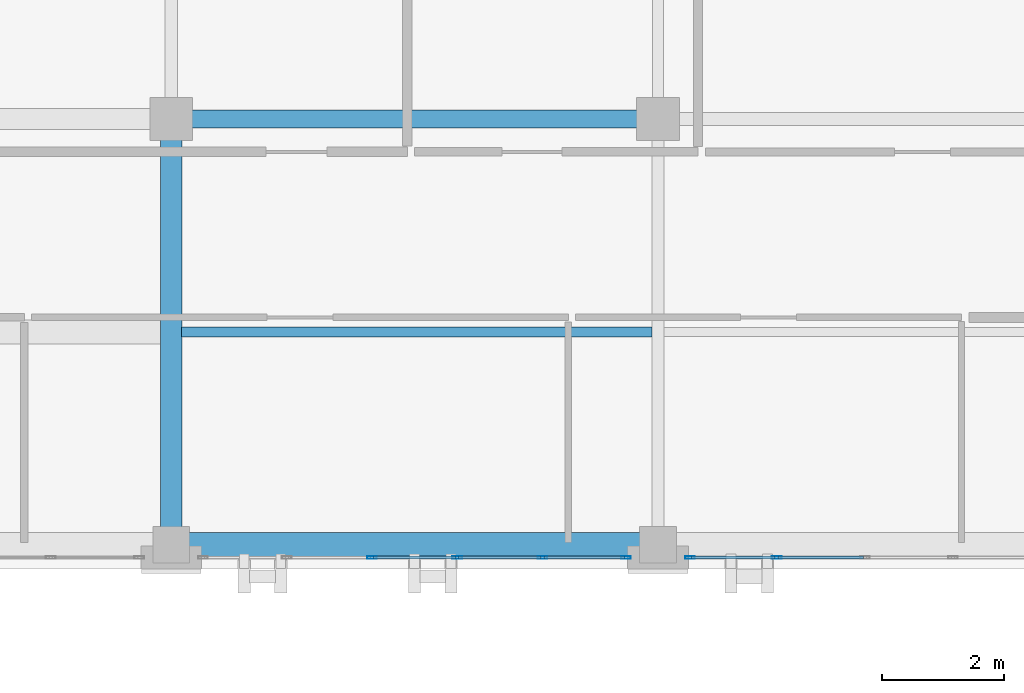
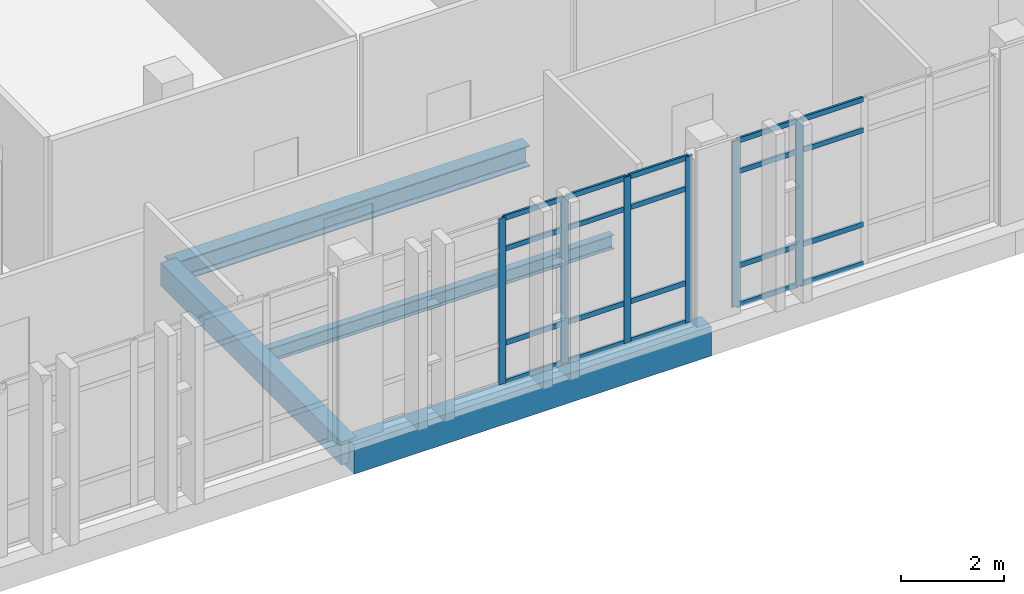
# One storey, part 41 of 90: 26 members, 4 beams, 2 elements without a shape of their own.
"""IFC4 building model written with IfcOpenShell, lengths in metres."""

from ifc_helpers import new_model, si_unit, direction, frame, origin, origin_2d, place, context, subcontext, project, spatial, rectangle, hollow_rectangle, i_section, extrude, material, layer, layer_set, material_profile, profile_set, type_object, element, aggregate, save


model = new_model("IFC4")

# Units and contexts
model_context = context("Model", 3, precision=1e-05, world=origin(), true_north=direction((0.0, 1.0)))
body_context = subcontext(model_context, "Body", "Model", "MODEL_VIEW")
ifc_project = project(units=[si_unit("LENGTHUNIT", "METRE"), si_unit("AREAUNIT", "SQUARE_METRE"), si_unit("VOLUMEUNIT", "CUBIC_METRE"), si_unit("PLANEANGLEUNIT", "RADIAN"), si_unit("MASSUNIT", "GRAM", prefix="KILO")], contexts=[model_context])

# Site, building, storey
site_placement = place(None, origin())
site = spatial("IfcSite", under=ifc_project, at=site_placement, CompositionType="ELEMENT")
building_placement = place(site_placement, origin())
building = spatial("IfcBuilding", under=site, at=building_placement, Name="Qalavern Law Courts", CompositionType="ELEMENT")
storey_placement = place(building_placement, frame((0.0, 0.0, 22.800048828125)))
storey = spatial("IfcBuildingStorey", under=building, at=storey_placement, Name="L05", CompositionType="ELEMENT", Elevation=22.800048828125)

# Curtain wall, members
ifc_material_1 = material(Name="Anodised aluminium and insulated glazing", Category="aluminium")
ifc_layer = layer(ifc_material_1, 0.166015625)
ifc_layer_set = layer_set([ifc_layer], Name="Anodised aluminium and insulated glazing")
curtain_wall_type = type_object("IfcCurtainWallType", Name="ENV-CW-LIB", PredefinedType="USERDEFINED", material=ifc_layer_set)
curtain_wall_1_placement = place(storey_placement, origin())
curtain_wall_1 = element("IfcCurtainWall", 1, at=curtain_wall_1_placement, inside=storey, type_object=curtain_wall_type, Name="V5 unitised curtain wall L05 south 3", ObjectType="UNITISED CURTAIN WALL", PredefinedType="USERDEFINED")
ifc_material_2 = material(Name="Anodised aluminium", Category="aluminium")
ifc_material_profile_1 = material_profile(ifc_material_2, hollow_rectangle(XDim=0.048095703125, YDim=0.159912109375, WallThickness=0.00390625, at=origin_2d()), Name="ALU MULLION 48x160")
ifc_profile_set_1 = profile_set([ifc_material_profile_1], Name="Anodised aluminium")
member_type_1 = type_object("IfcMemberType", Name="ENV-CWM-48x160", PredefinedType="MULLION", material=ifc_profile_set_1)
member_1_placement = place(storey_placement, frame((40.10009765625, 96.392578125, 0.0), z_axis=(0.0, 0.0, 1.0), x_axis=(0.0, 1.0, 0.0)))
member_1 = element("IfcMember", 2, at=member_1_placement, type_object=member_type_1, Name="CW-05 mullion 3", PredefinedType="MULLION", context=body_context, shape_type="SweptSolid", body=[
    extrude(hollow_rectangle(XDim=0.048095703125, YDim=0.159912109375, WallThickness=0.00390625, at=origin_2d()), origin(), (0.0, 0.0, 1.0), 3.929931640625),
])
member_2_placement = place(storey_placement, frame((41.5, 96.392578125, 0.0), z_axis=(0.0, 0.0, 1.0), x_axis=(0.0, 1.0, 0.0)))
member_2 = element("IfcMember", 3, at=member_2_placement, type_object=member_type_1, Name="CW-05 mullion 4", PredefinedType="MULLION", context=body_context, shape_type="SweptSolid", body=[
    extrude(hollow_rectangle(XDim=0.048095703125, YDim=0.159912109375, WallThickness=0.00390625, at=origin_2d()), origin(), (0.0, 0.0, 1.0), 3.929931640625),
])
member_3_placement = place(storey_placement, frame((42.89990234375, 96.392578125, 0.0), z_axis=(0.0, 0.0, 1.0), x_axis=(0.0, 1.0, 0.0)))
member_3 = element("IfcMember", 4, at=member_3_placement, type_object=member_type_1, Name="CW-05 mullion 5", PredefinedType="MULLION", context=body_context, shape_type="SweptSolid", body=[
    extrude(hollow_rectangle(XDim=0.048095703125, YDim=0.159912109375, WallThickness=0.00390625, at=origin_2d()), origin(), (0.0, 0.0, 1.0), 3.929931640625),
])
member_4_placement = place(storey_placement, frame((44.27587890625, 96.392578125, 0.0), z_axis=(0.0, 0.0, 1.0), x_axis=(0.0, 1.0, 0.0)))
member_4 = element("IfcMember", 5, at=member_4_placement, type_object=member_type_1, Name="CW-05 mullion 6", PredefinedType="MULLION", context=body_context, shape_type="SweptSolid", body=[
    extrude(hollow_rectangle(XDim=0.048095703125, YDim=0.159912109375, WallThickness=0.00390625, at=origin_2d()), origin(), (0.0, 0.0, 1.0), 3.929931640625),
])

curtain_wall_2_placement = place(storey_placement, origin())
curtain_wall_2 = element("IfcCurtainWall", 6, at=curtain_wall_2_placement, inside=storey, type_object=curtain_wall_type, Name="V5 unitised curtain wall L05 south 4", ObjectType="UNITISED CURTAIN WALL", PredefinedType="USERDEFINED")
member_5_placement = place(storey_placement, frame((45.323974609375, 96.392578125, 0.0), z_axis=(0.0, 0.0, 1.0), x_axis=(0.0, 1.0, 0.0)))
member_5 = element("IfcMember", 7, at=member_5_placement, type_object=member_type_1, Name="CW-05 mullion 1", PredefinedType="MULLION", context=body_context, shape_type="SweptSolid", body=[
    extrude(hollow_rectangle(XDim=0.048095703125, YDim=0.159912109375, WallThickness=0.00390625, at=origin_2d()), origin(), (0.0, 0.0, 1.0), 3.929931640625),
])
member_6_placement = place(storey_placement, frame((46.75, 96.392578125, 0.0), z_axis=(0.0, 0.0, 1.0), x_axis=(0.0, 1.0, 0.0)))
member_6 = element("IfcMember", 8, at=member_6_placement, type_object=member_type_1, Name="CW-05 mullion 2", PredefinedType="MULLION", context=body_context, shape_type="SweptSolid", body=[
    extrude(hollow_rectangle(XDim=0.048095703125, YDim=0.159912109375, WallThickness=0.00390625, at=origin_2d()), origin(), (0.0, 0.0, 1.0), 3.929931640625),
])

# Member
ifc_material_profile_2 = material_profile(ifc_material_2, hollow_rectangle(XDim=0.048095703125, YDim=0.1201171875, WallThickness=0.00390625, at=origin_2d()), Name="ALU TRANSOM 48x120")
ifc_profile_set_2 = profile_set([ifc_material_profile_2], Name="Anodised aluminium")
member_type_2 = type_object("IfcMemberType", Name="ENV-CWT-48x120", PredefinedType="USERDEFINED", material=ifc_profile_set_2)
member_7_placement = place(storey_placement, frame((40.1240234375, 96.392578125, 0.02392578125), z_axis=(1.0, 0.0, 0.0), x_axis=(0.0, 1.0, 0.0)))
member_7 = element("IfcMember", 9, at=member_7_placement, type_object=member_type_2, Name="CW-05 transom 3.1", ObjectType="TRANSOM", PredefinedType="USERDEFINED", context=body_context, shape_type="SweptSolid", body=[
    extrude(hollow_rectangle(XDim=0.048095703125, YDim=0.1201171875, WallThickness=0.00390625, at=origin_2d()), origin(), (0.0, 0.0, 1.0), 1.35205078125),
])

member_8_placement = place(storey_placement, frame((40.1240234375, 96.392578125, 0.949951171875), z_axis=(1.0, 0.0, 0.0), x_axis=(0.0, 1.0, 0.0)))
member_8 = element("IfcMember", 10, at=member_8_placement, type_object=member_type_2, Name="CW-05 transom 3.2", ObjectType="TRANSOM", PredefinedType="USERDEFINED", context=body_context, shape_type="SweptSolid", body=[
    extrude(hollow_rectangle(XDim=0.048095703125, YDim=0.1201171875, WallThickness=0.00390625, at=origin_2d()), origin(), (0.0, 0.0, 1.0), 1.35205078125),
])

member_9_placement = place(storey_placement, frame((40.1240234375, 96.392578125, 3.179931640625), z_axis=(1.0, 0.0, 0.0), x_axis=(0.0, 1.0, 0.0)))
member_9 = element("IfcMember", 11, at=member_9_placement, type_object=member_type_2, Name="CW-05 transom 3.3", ObjectType="TRANSOM", PredefinedType="USERDEFINED", context=body_context, shape_type="SweptSolid", body=[
    extrude(hollow_rectangle(XDim=0.048095703125, YDim=0.1201171875, WallThickness=0.00390625, at=origin_2d()), origin(), (0.0, 0.0, 1.0), 1.35205078125),
])

member_10_placement = place(storey_placement, frame((40.1240234375, 96.392578125, 3.906005859375), z_axis=(1.0, 0.0, 0.0), x_axis=(0.0, 1.0, 0.0)))
member_10 = element("IfcMember", 12, at=member_10_placement, type_object=member_type_2, Name="CW-05 transom 3.4", ObjectType="TRANSOM", PredefinedType="USERDEFINED", context=body_context, shape_type="SweptSolid", body=[
    extrude(hollow_rectangle(XDim=0.048095703125, YDim=0.1201171875, WallThickness=0.00390625, at=origin_2d()), origin(), (0.0, 0.0, 1.0), 1.35205078125),
])

member_11_placement = place(storey_placement, frame((41.52392578125, 96.392578125, 0.02392578125), z_axis=(1.0, 0.0, 0.0), x_axis=(0.0, 1.0, 0.0)))
member_11 = element("IfcMember", 13, at=member_11_placement, type_object=member_type_2, Name="CW-05 transom 4.1", ObjectType="TRANSOM", PredefinedType="USERDEFINED", context=body_context, shape_type="SweptSolid", body=[
    extrude(hollow_rectangle(XDim=0.048095703125, YDim=0.1201171875, WallThickness=0.00390625, at=origin_2d()), origin(), (0.0, 0.0, 1.0), 1.35205078125),
])

member_12_placement = place(storey_placement, frame((41.52392578125, 96.392578125, 0.949951171875), z_axis=(1.0, 0.0, 0.0), x_axis=(0.0, 1.0, 0.0)))
member_12 = element("IfcMember", 14, at=member_12_placement, type_object=member_type_2, Name="CW-05 transom 4.2", ObjectType="TRANSOM", PredefinedType="USERDEFINED", context=body_context, shape_type="SweptSolid", body=[
    extrude(hollow_rectangle(XDim=0.048095703125, YDim=0.1201171875, WallThickness=0.00390625, at=origin_2d()), origin(), (0.0, 0.0, 1.0), 1.35205078125),
])

member_13_placement = place(storey_placement, frame((41.52392578125, 96.392578125, 3.179931640625), z_axis=(1.0, 0.0, 0.0), x_axis=(0.0, 1.0, 0.0)))
member_13 = element("IfcMember", 15, at=member_13_placement, type_object=member_type_2, Name="CW-05 transom 4.3", ObjectType="TRANSOM", PredefinedType="USERDEFINED", context=body_context, shape_type="SweptSolid", body=[
    extrude(hollow_rectangle(XDim=0.048095703125, YDim=0.1201171875, WallThickness=0.00390625, at=origin_2d()), origin(), (0.0, 0.0, 1.0), 1.35205078125),
])

member_14_placement = place(storey_placement, frame((41.52392578125, 96.392578125, 3.906005859375), z_axis=(1.0, 0.0, 0.0), x_axis=(0.0, 1.0, 0.0)))
member_14 = element("IfcMember", 16, at=member_14_placement, type_object=member_type_2, Name="CW-05 transom 4.4", ObjectType="TRANSOM", PredefinedType="USERDEFINED", context=body_context, shape_type="SweptSolid", body=[
    extrude(hollow_rectangle(XDim=0.048095703125, YDim=0.1201171875, WallThickness=0.00390625, at=origin_2d()), origin(), (0.0, 0.0, 1.0), 1.35205078125),
])

member_15_placement = place(storey_placement, frame((42.924072265625, 96.392578125, 0.02392578125), z_axis=(1.0, 0.0, 0.0), x_axis=(0.0, 1.0, 0.0)))
member_15 = element("IfcMember", 17, at=member_15_placement, type_object=member_type_2, Name="CW-05 transom 5.1", ObjectType="TRANSOM", PredefinedType="USERDEFINED", context=body_context, shape_type="SweptSolid", body=[
    extrude(hollow_rectangle(XDim=0.048095703125, YDim=0.1201171875, WallThickness=0.00390625, at=origin_2d()), origin(), (0.0, 0.0, 1.0), 1.327880859375),
])

member_16_placement = place(storey_placement, frame((42.924072265625, 96.392578125, 0.949951171875), z_axis=(1.0, 0.0, 0.0), x_axis=(0.0, 1.0, 0.0)))
member_16 = element("IfcMember", 18, at=member_16_placement, type_object=member_type_2, Name="CW-05 transom 5.2", ObjectType="TRANSOM", PredefinedType="USERDEFINED", context=body_context, shape_type="SweptSolid", body=[
    extrude(hollow_rectangle(XDim=0.048095703125, YDim=0.1201171875, WallThickness=0.00390625, at=origin_2d()), origin(), (0.0, 0.0, 1.0), 1.327880859375),
])

member_17_placement = place(storey_placement, frame((42.924072265625, 96.392578125, 3.179931640625), z_axis=(1.0, 0.0, 0.0), x_axis=(0.0, 1.0, 0.0)))
member_17 = element("IfcMember", 19, at=member_17_placement, type_object=member_type_2, Name="CW-05 transom 5.3", ObjectType="TRANSOM", PredefinedType="USERDEFINED", context=body_context, shape_type="SweptSolid", body=[
    extrude(hollow_rectangle(XDim=0.048095703125, YDim=0.1201171875, WallThickness=0.00390625, at=origin_2d()), origin(), (0.0, 0.0, 1.0), 1.327880859375),
])

member_18_placement = place(storey_placement, frame((42.924072265625, 96.392578125, 3.906005859375), z_axis=(1.0, 0.0, 0.0), x_axis=(0.0, 1.0, 0.0)))
member_18 = element("IfcMember", 20, at=member_18_placement, type_object=member_type_2, Name="CW-05 transom 5.4", ObjectType="TRANSOM", PredefinedType="USERDEFINED", context=body_context, shape_type="SweptSolid", body=[
    extrude(hollow_rectangle(XDim=0.048095703125, YDim=0.1201171875, WallThickness=0.00390625, at=origin_2d()), origin(), (0.0, 0.0, 1.0), 1.327880859375),
])

aggregate(curtain_wall_1, [member_1, member_2, member_3, member_4, member_7, member_8, member_9, member_10, member_11, member_12, member_13, member_14, member_15, member_16, member_17, member_18])

member_19_placement = place(storey_placement, frame((45.347900390625, 96.392578125, 0.02392578125), z_axis=(1.0, 0.0, 0.0), x_axis=(0.0, 1.0, 0.0)))
member_19 = element("IfcMember", 21, at=member_19_placement, type_object=member_type_2, Name="CW-05 transom 1.1", ObjectType="TRANSOM", PredefinedType="USERDEFINED", context=body_context, shape_type="SweptSolid", body=[
    extrude(hollow_rectangle(XDim=0.048095703125, YDim=0.1201171875, WallThickness=0.00390625, at=origin_2d()), origin(), (0.0, 0.0, 1.0), 1.378173828125),
])

member_20_placement = place(storey_placement, frame((45.347900390625, 96.392578125, 0.949951171875), z_axis=(1.0, 0.0, 0.0), x_axis=(0.0, 1.0, 0.0)))
member_20 = element("IfcMember", 22, at=member_20_placement, type_object=member_type_2, Name="CW-05 transom 1.2", ObjectType="TRANSOM", PredefinedType="USERDEFINED", context=body_context, shape_type="SweptSolid", body=[
    extrude(hollow_rectangle(XDim=0.048095703125, YDim=0.1201171875, WallThickness=0.00390625, at=origin_2d()), origin(), (0.0, 0.0, 1.0), 1.378173828125),
])

member_21_placement = place(storey_placement, frame((45.347900390625, 96.392578125, 3.179931640625), z_axis=(1.0, 0.0, 0.0), x_axis=(0.0, 1.0, 0.0)))
member_21 = element("IfcMember", 23, at=member_21_placement, type_object=member_type_2, Name="CW-05 transom 1.3", ObjectType="TRANSOM", PredefinedType="USERDEFINED", context=body_context, shape_type="SweptSolid", body=[
    extrude(hollow_rectangle(XDim=0.048095703125, YDim=0.1201171875, WallThickness=0.00390625, at=origin_2d()), origin(), (0.0, 0.0, 1.0), 1.378173828125),
])

member_22_placement = place(storey_placement, frame((45.347900390625, 96.392578125, 3.906005859375), z_axis=(1.0, 0.0, 0.0), x_axis=(0.0, 1.0, 0.0)))
member_22 = element("IfcMember", 24, at=member_22_placement, type_object=member_type_2, Name="CW-05 transom 1.4", ObjectType="TRANSOM", PredefinedType="USERDEFINED", context=body_context, shape_type="SweptSolid", body=[
    extrude(hollow_rectangle(XDim=0.048095703125, YDim=0.1201171875, WallThickness=0.00390625, at=origin_2d()), origin(), (0.0, 0.0, 1.0), 1.378173828125),
])

member_23_placement = place(storey_placement, frame((46.77392578125, 96.392578125, 0.02392578125), z_axis=(1.0, 0.0, 0.0), x_axis=(0.0, 1.0, 0.0)))
member_23 = element("IfcMember", 25, at=member_23_placement, type_object=member_type_2, Name="CW-05 transom 2.1", ObjectType="TRANSOM", PredefinedType="USERDEFINED", context=body_context, shape_type="SweptSolid", body=[
    extrude(hollow_rectangle(XDim=0.048095703125, YDim=0.1201171875, WallThickness=0.00390625, at=origin_2d()), origin(), (0.0, 0.0, 1.0), 1.402099609375),
])

member_24_placement = place(storey_placement, frame((46.77392578125, 96.392578125, 0.949951171875), z_axis=(1.0, 0.0, 0.0), x_axis=(0.0, 1.0, 0.0)))
member_24 = element("IfcMember", 26, at=member_24_placement, type_object=member_type_2, Name="CW-05 transom 2.2", ObjectType="TRANSOM", PredefinedType="USERDEFINED", context=body_context, shape_type="SweptSolid", body=[
    extrude(hollow_rectangle(XDim=0.048095703125, YDim=0.1201171875, WallThickness=0.00390625, at=origin_2d()), origin(), (0.0, 0.0, 1.0), 1.402099609375),
])

member_25_placement = place(storey_placement, frame((46.77392578125, 96.392578125, 3.179931640625), z_axis=(1.0, 0.0, 0.0), x_axis=(0.0, 1.0, 0.0)))
member_25 = element("IfcMember", 27, at=member_25_placement, type_object=member_type_2, Name="CW-05 transom 2.3", ObjectType="TRANSOM", PredefinedType="USERDEFINED", context=body_context, shape_type="SweptSolid", body=[
    extrude(hollow_rectangle(XDim=0.048095703125, YDim=0.1201171875, WallThickness=0.00390625, at=origin_2d()), origin(), (0.0, 0.0, 1.0), 1.402099609375),
])

member_26_placement = place(storey_placement, frame((46.77392578125, 96.392578125, 3.906005859375), z_axis=(1.0, 0.0, 0.0), x_axis=(0.0, 1.0, 0.0)))
member_26 = element("IfcMember", 28, at=member_26_placement, type_object=member_type_2, Name="CW-05 transom 2.4", ObjectType="TRANSOM", PredefinedType="USERDEFINED", context=body_context, shape_type="SweptSolid", body=[
    extrude(hollow_rectangle(XDim=0.048095703125, YDim=0.1201171875, WallThickness=0.00390625, at=origin_2d()), origin(), (0.0, 0.0, 1.0), 1.402099609375),
])

aggregate(curtain_wall_2, [member_5, member_6, member_19, member_20, member_21, member_22, member_23, member_24, member_25, member_26])

# Beams
ifc_material_3 = material(Name="Steel S355", Category="steel")
ifc_material_profile_3 = material_profile(ifc_material_3, i_section(OverallWidth=0.300048828125, OverallDepth=0.489990234375, WebThickness=0.011962890625, FlangeThickness=0.02294921875, FilletRadius=0.027099609375, at=origin_2d()), Name="HEA 500")
ifc_profile_set_3 = profile_set([ifc_material_profile_3], Name="Steel S355")
beam_type_1 = type_object("IfcBeamType", Name="STR-BM-HEA500", PredefinedType="BEAM", material=ifc_profile_set_3)
beam_1_placement = place(storey_placement, frame((36.800048828125, 103.60009765625, -0.541015625), z_axis=(1.0, 0.0, 0.0), x_axis=(0.0, 1.0, 0.0)))
element("IfcBeam", 29, at=beam_1_placement, inside=storey, type_object=beam_type_1, Name="V5 X-beam 2-2 L05", PredefinedType="BEAM", context=body_context, shape_type="SweptSolid", body=[
    extrude(i_section(OverallWidth=0.300048828125, OverallDepth=0.489990234375, WebThickness=0.011962890625, FlangeThickness=0.02294921875, FilletRadius=0.027099609375, at=origin_2d()), origin(), (0.0, 0.0, 1.0), 8.0),
])
ifc_material_4 = material(Name="Concrete C35/45", Category="concrete")
ifc_material_profile_4 = material_profile(ifc_material_4, rectangle(XDim=0.35009765625, YDim=0.550048828125, at=origin_2d()), Name="RC 350x550")
ifc_profile_set_4 = profile_set([ifc_material_profile_4], Name="Concrete C35/45")
beam_type_2 = type_object("IfcBeamType", Name="STR-BM-RC350x550", PredefinedType="BEAM", material=ifc_profile_set_4)
beam_2_placement = place(storey_placement, frame((36.800048828125, 96.60009765625, -0.571044921875), z_axis=(0.0, 1.0, 0.0), x_axis=(-1.0, 0.0, 0.0)))
element("IfcBeam", 30, at=beam_2_placement, inside=storey, type_object=beam_type_2, Name="V5 Y-beam 2-1 L05", PredefinedType="BEAM", context=body_context, shape_type="SweptSolid", body=[
    extrude(rectangle(XDim=0.35009765625, YDim=0.550048828125, at=origin_2d()), origin(), (0.0, 0.0, 1.0), 7.0),
])
ifc_material_profile_5 = material_profile(ifc_material_3, i_section(OverallWidth=0.159912109375, OverallDepth=0.330078125, WebThickness=0.007568359375, FlangeThickness=0.011474609375, FilletRadius=0.01806640625, at=origin_2d()), Name="IPE 330")
ifc_profile_set_5 = profile_set([ifc_material_profile_5], Name="Steel S355")
beam_type_3 = type_object("IfcBeamType", Name="STR-JST-IPE330", PredefinedType="JOIST", material=ifc_profile_set_5)
beam_3_placement = place(storey_placement, frame((36.972900390625, 100.10009765625, -0.4609375), z_axis=(1.0, 0.0, 0.0), x_axis=(0.0, 1.0, 0.0)))
element("IfcBeam", 31, at=beam_3_placement, inside=storey, type_object=beam_type_3, Name="V5 secondary joist 2.1.1 L05", PredefinedType="JOIST", context=body_context, shape_type="SweptSolid", body=[
    extrude(i_section(OverallWidth=0.159912109375, OverallDepth=0.330078125, WebThickness=0.007568359375, FlangeThickness=0.011474609375, FilletRadius=0.01806640625, at=origin_2d()), origin(), (0.0, 0.0, 1.0), 7.72900390625),
])
ifc_material_5 = material(Name="Concrete C40/50", Category="concrete")
ifc_material_profile_6 = material_profile(ifc_material_5, rectangle(XDim=0.39990234375, YDim=0.699951171875, at=origin_2d()), Name="RC 400x700")
ifc_profile_set_6 = profile_set([ifc_material_profile_6], Name="Concrete C40/50")
beam_type_4 = type_object("IfcBeamType", Name="STR-SP-RC400x700", PredefinedType="SPANDREL", material=ifc_profile_set_6)
beam_4_placement = place(storey_placement, frame((36.800048828125, 96.60009765625, -0.64599609375), z_axis=(1.0, 0.0, 0.0), x_axis=(0.0, 1.0, 0.0)))
element("IfcBeam", 32, at=beam_4_placement, inside=storey, type_object=beam_type_4, Name="V5 X-beam 1-2 L05", PredefinedType="SPANDREL", context=body_context, shape_type="SweptSolid", body=[
    extrude(rectangle(XDim=0.39990234375, YDim=0.699951171875, at=origin_2d()), origin(), (0.0, 0.0, 1.0), 8.0),
])

save(model, "model.ifc")
